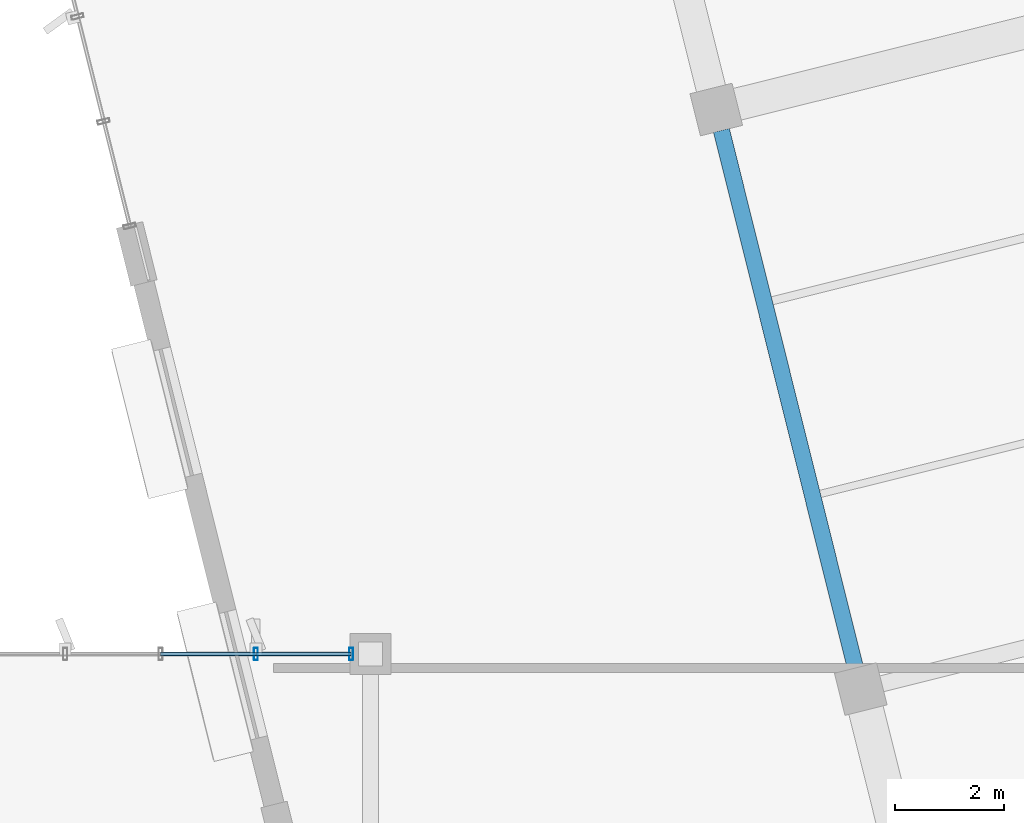
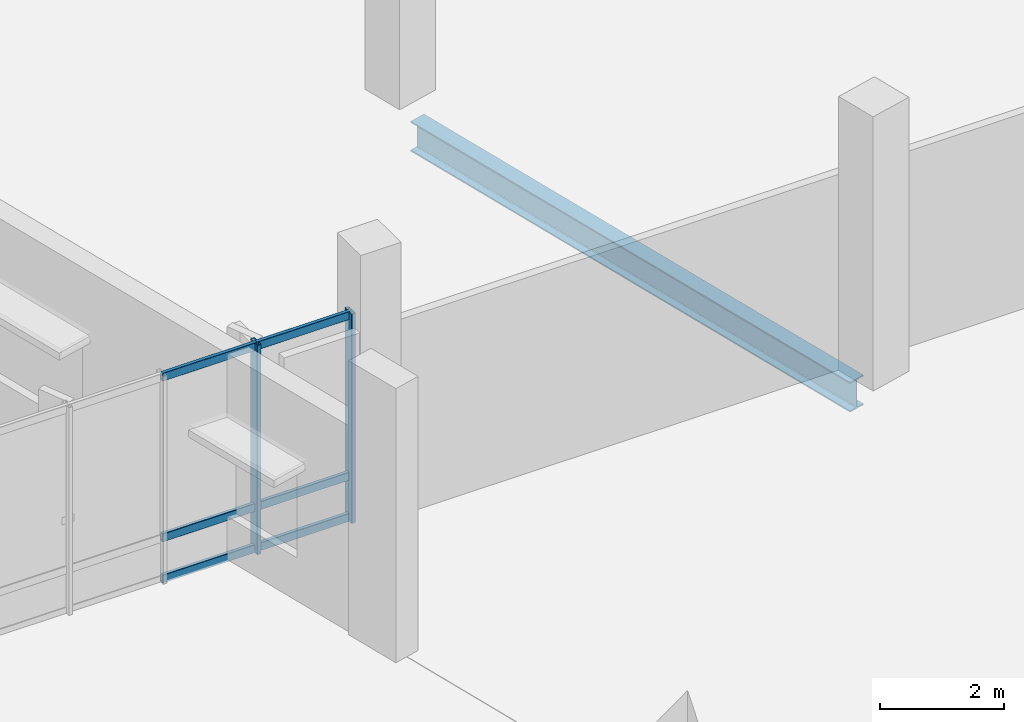
# One storey, part 74 of 176: 8 members, 1 beam, 1 element without a shape of its own.
"""IFC4 building model written with IfcOpenShell, lengths in metres."""

from ifc_helpers import new_model, si_unit, direction, frame, origin, origin_2d, place, context, subcontext, project, spatial, hollow_rectangle, i_section, extrude, material, layer, layer_set, material_profile, profile_set, type_object, element, aggregate, save


model = new_model("IFC4")

# Units and contexts
model_context = context("Model", 3, precision=1e-05, world=origin(), true_north=direction((0.0, 1.0)))
body_context = subcontext(model_context, "Body", "Model", "MODEL_VIEW")
ifc_project = project(units=[si_unit("LENGTHUNIT", "METRE"), si_unit("AREAUNIT", "SQUARE_METRE"), si_unit("VOLUMEUNIT", "CUBIC_METRE"), si_unit("PLANEANGLEUNIT", "RADIAN"), si_unit("MASSUNIT", "GRAM", prefix="KILO")], contexts=[model_context])

# Site, building, storey
site_placement = place(None, origin())
site = spatial("IfcSite", under=ifc_project, at=site_placement, CompositionType="ELEMENT")
building_placement = place(site_placement, origin())
building = spatial("IfcBuilding", under=site, at=building_placement, Name="Khorjan Park Terminus", CompositionType="ELEMENT")
storey_placement = place(building_placement, frame((0.0, 0.0, 6.0)))
storey = spatial("IfcBuildingStorey", under=building, at=storey_placement, Name="L01", CompositionType="ELEMENT", Elevation=6.0)

# Beam
ifc_material_1 = material(Name="Steel S355", Category="steel")
ifc_material_profile_1 = material_profile(ifc_material_1, i_section(OverallWidth=0.3, OverallDepth=0.59, WebThickness=0.013, FlangeThickness=0.025, FilletRadius=0.027, at=origin_2d()), Name="HEA 600")
ifc_profile_set_1 = profile_set([ifc_material_profile_1], Name="Steel S355")
beam_type = type_object("IfcBeamType", Name="BM-HEA600", PredefinedType="BEAM", material=ifc_profile_set_1)
beam_placement = place(storey_placement, frame((165.9331, 47.7374, -0.645), z_axis=(-0.241920261086, 0.970296133805, 0.0), x_axis=(-0.970296133805, -0.241920261086, 0.0)))
element("IfcBeam", 1, at=beam_placement, inside=storey, type_object=beam_type, Name="Primary skew-grid floor girder SB-A60 (L01)", PredefinedType="BEAM", context=body_context, shape_type="SweptSolid", body=[
    extrude(i_section(OverallWidth=0.3, OverallDepth=0.59, WebThickness=0.013, FlangeThickness=0.025, FilletRadius=0.027, at=origin_2d()), origin(), (0.0, 0.0, 1.0), 10.21),
])

# Curtain wall, members
ifc_material_2 = material(Name="Anodized Bronze Aluminium", Category="aluminium")
ifc_layer = layer(ifc_material_2, 0.22)
ifc_layer_set = layer_set([ifc_layer], Name="Anodized Bronze Aluminium")
curtain_wall_type = type_object("IfcCurtainWallType", Name="CW-OPS-B", PredefinedType="NOTDEFINED", material=ifc_layer_set)
curtain_wall_placement = place(storey_placement, origin())
curtain_wall = element("IfcCurtainWall", 2, at=curtain_wall_placement, inside=storey, type_object=curtain_wall_type, Name="Unitized curtain wall CW-B (CW-V5L-N-L01-2)", PredefinedType="NOTDEFINED")
ifc_material_profile_2 = material_profile(ifc_material_2, hollow_rectangle(XDim=0.075, YDim=0.225, WallThickness=0.005, InnerFilletRadius=0.005, OuterFilletRadius=0.01, at=origin_2d()), Name="ALM 75x225x5")
ifc_profile_set_2 = profile_set([ifc_material_profile_2], Name="Anodized Bronze Aluminium")
member_type_1 = type_object("IfcMemberType", Name="ML-ALM-225", PredefinedType="MULLION", material=ifc_profile_set_2)
member_1_placement = place(storey_placement, frame((156.645, 48.0, -0.035), z_axis=(0.0, 0.0, 1.0), x_axis=(-1.0, 0.0, 0.0)))
member_1 = element("IfcMember", 3, at=member_1_placement, type_object=member_type_1, Name="Curtain-wall mullion ML-22 (CW-V5L-N-L01-2-0)", PredefinedType="MULLION", context=body_context, shape_type="SweptSolid", body=[
    extrude(hollow_rectangle(XDim=0.075, YDim=0.225, WallThickness=0.005, InnerFilletRadius=0.005, OuterFilletRadius=0.01, at=origin_2d()), origin(), (0.0, 0.0, 1.0), 4.125),
])
member_2_placement = place(storey_placement, frame((154.8893, 48.0, -0.035), z_axis=(0.0, 0.0, 1.0), x_axis=(-1.0, 0.0, 0.0)))
member_2 = element("IfcMember", 4, at=member_2_placement, type_object=member_type_1, Name="Curtain-wall mullion ML-22 (CW-V5L-N-L01-2-1)", PredefinedType="MULLION", context=body_context, shape_type="SweptSolid", body=[
    extrude(hollow_rectangle(XDim=0.075, YDim=0.225, WallThickness=0.005, InnerFilletRadius=0.005, OuterFilletRadius=0.01, at=origin_2d()), origin(), (0.0, 0.0, 1.0), 4.125),
])
ifc_material_profile_3 = material_profile(ifc_material_2, hollow_rectangle(XDim=0.07, YDim=0.16, WallThickness=0.004, InnerFilletRadius=0.004, OuterFilletRadius=0.008, at=origin_2d()), Name="ALT 70x160x4")
ifc_profile_set_3 = profile_set([ifc_material_profile_3], Name="Anodized Bronze Aluminium")
member_type_2 = type_object("IfcMemberType", Name="TR-ALT-160", PredefinedType="USERDEFINED", material=ifc_profile_set_3)
member_3_placement = place(storey_placement, frame((156.645, 48.0, 0.04), z_axis=(-1.0, 0.0, 0.0), x_axis=(0.0, -1.0, 0.0)))
member_3 = element("IfcMember", 5, at=member_3_placement, type_object=member_type_2, Name="Curtain-wall transom TR-16 (CW-V5L-N-L01-2-0-1)", ObjectType="TRANSOM", PredefinedType="USERDEFINED", context=body_context, shape_type="SweptSolid", body=[
    extrude(hollow_rectangle(XDim=0.07, YDim=0.16, WallThickness=0.004, InnerFilletRadius=0.004, OuterFilletRadius=0.008, at=origin_2d()), origin(), (0.0, 0.0, 1.0), 1.7557),
])
member_4_placement = place(storey_placement, frame((156.645, 48.0, 0.85), z_axis=(-1.0, 0.0, 0.0), x_axis=(0.0, -1.0, 0.0)))
member_4 = element("IfcMember", 6, at=member_4_placement, type_object=member_type_2, Name="Curtain-wall transom TR-16 (CW-V5L-N-L01-2-0-2)", ObjectType="TRANSOM", PredefinedType="USERDEFINED", context=body_context, shape_type="SweptSolid", body=[
    extrude(hollow_rectangle(XDim=0.07, YDim=0.16, WallThickness=0.004, InnerFilletRadius=0.004, OuterFilletRadius=0.008, at=origin_2d()), origin(), (0.0, 0.0, 1.0), 1.7557),
])
member_5_placement = place(storey_placement, frame((156.645, 48.0, 4.015), z_axis=(-1.0, 0.0, 0.0), x_axis=(0.0, -1.0, 0.0)))
member_5 = element("IfcMember", 7, at=member_5_placement, type_object=member_type_2, Name="Curtain-wall transom TR-16 (CW-V5L-N-L01-2-0-3)", ObjectType="TRANSOM", PredefinedType="USERDEFINED", context=body_context, shape_type="SweptSolid", body=[
    extrude(hollow_rectangle(XDim=0.07, YDim=0.16, WallThickness=0.004, InnerFilletRadius=0.004, OuterFilletRadius=0.008, at=origin_2d()), origin(), (0.0, 0.0, 1.0), 1.7557),
])
member_6_placement = place(storey_placement, frame((154.8893, 48.0, 0.04), z_axis=(-1.0, 0.0, 0.0), x_axis=(0.0, -1.0, 0.0)))
member_6 = element("IfcMember", 8, at=member_6_placement, type_object=member_type_2, Name="Curtain-wall transom TR-16 (CW-V5L-N-L01-2-1-1)", ObjectType="TRANSOM", PredefinedType="USERDEFINED", context=body_context, shape_type="SweptSolid", body=[
    extrude(hollow_rectangle(XDim=0.07, YDim=0.16, WallThickness=0.004, InnerFilletRadius=0.004, OuterFilletRadius=0.008, at=origin_2d()), origin(), (0.0, 0.0, 1.0), 1.7557),
])
member_7_placement = place(storey_placement, frame((154.8893, 48.0, 0.85), z_axis=(-1.0, 0.0, 0.0), x_axis=(0.0, -1.0, 0.0)))
member_7 = element("IfcMember", 9, at=member_7_placement, type_object=member_type_2, Name="Curtain-wall transom TR-16 (CW-V5L-N-L01-2-1-2)", ObjectType="TRANSOM", PredefinedType="USERDEFINED", context=body_context, shape_type="SweptSolid", body=[
    extrude(hollow_rectangle(XDim=0.07, YDim=0.16, WallThickness=0.004, InnerFilletRadius=0.004, OuterFilletRadius=0.008, at=origin_2d()), origin(), (0.0, 0.0, 1.0), 1.7557),
])
member_8_placement = place(storey_placement, frame((154.8893, 48.0, 4.015), z_axis=(-1.0, 0.0, 0.0), x_axis=(0.0, -1.0, 0.0)))
member_8 = element("IfcMember", 10, at=member_8_placement, type_object=member_type_2, Name="Curtain-wall transom TR-16 (CW-V5L-N-L01-2-1-3)", ObjectType="TRANSOM", PredefinedType="USERDEFINED", context=body_context, shape_type="SweptSolid", body=[
    extrude(hollow_rectangle(XDim=0.07, YDim=0.16, WallThickness=0.004, InnerFilletRadius=0.004, OuterFilletRadius=0.008, at=origin_2d()), origin(), (0.0, 0.0, 1.0), 1.7557),
])
aggregate(curtain_wall, [member_1, member_2, member_3, member_4, member_5, member_6, member_7, member_8])

save(model, "model.ifc")
